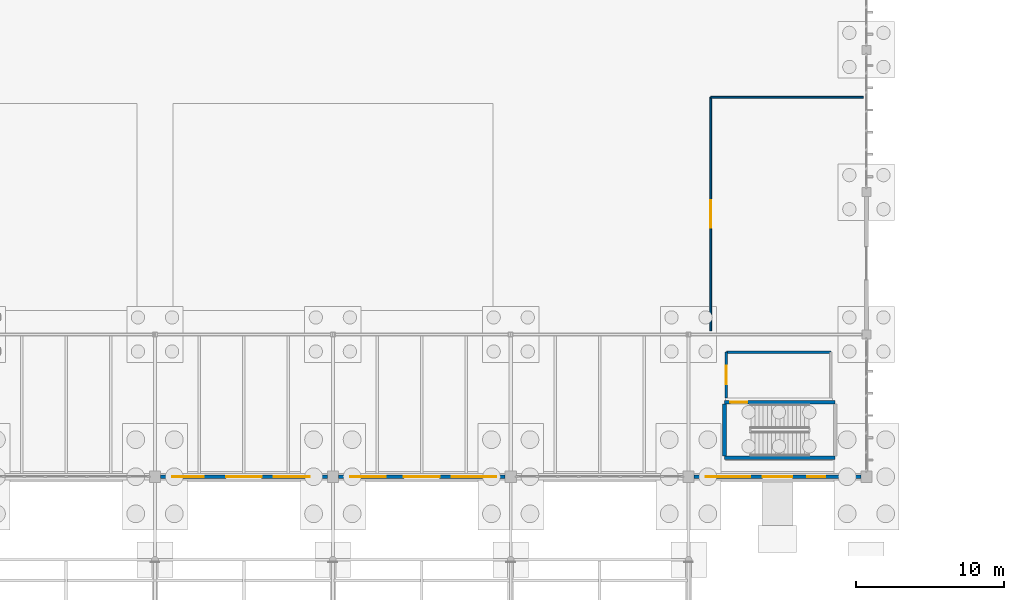
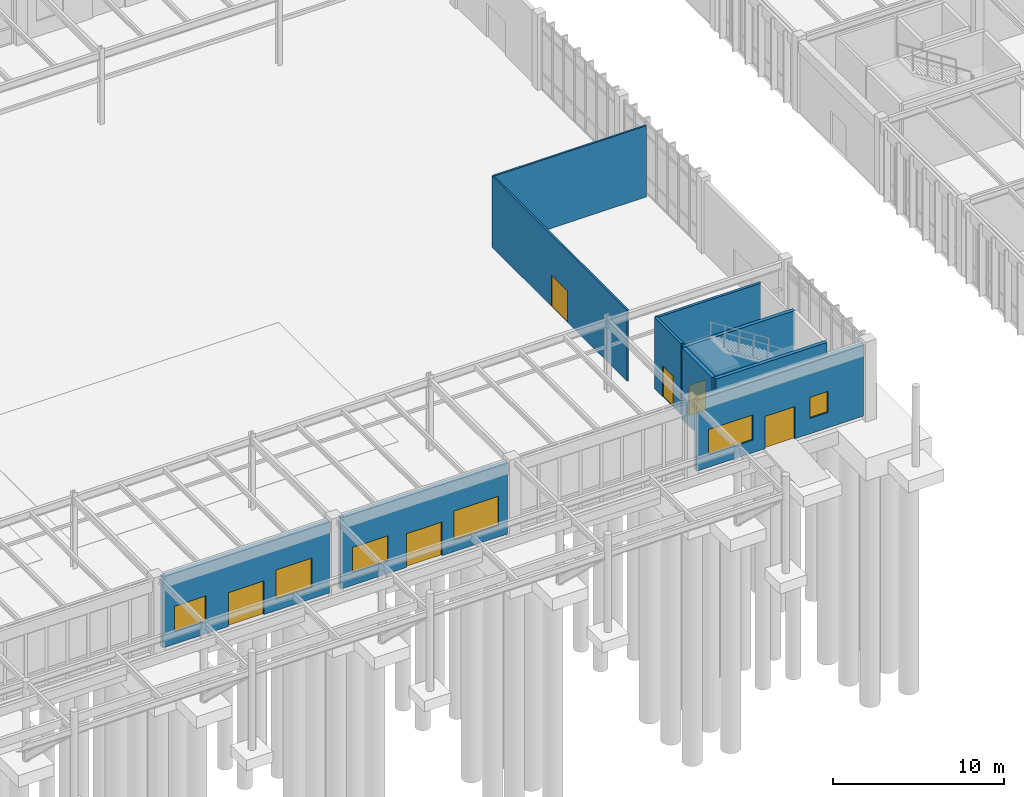
# One storey, part 163 of 188: 10 walls, 6 doors, 6 windows, 12 openings.
"""IFC4 building model written with IfcOpenShell, lengths in metres."""

from ifc_helpers import new_model, si_unit, direction, frame, frame_2d, origin, place, context, subcontext, project, spatial, rectangle, extrude, material, layer, layer_set, type_object, element, fill, save


model = new_model("IFC4")

# Units and contexts
model_context = context("Model", 3, precision=1e-05, world=origin(), true_north=direction((0.0, 1.0)))
body_context = subcontext(model_context, "Body", "Model", "MODEL_VIEW")
ifc_project = project(units=[si_unit("LENGTHUNIT", "METRE"), si_unit("AREAUNIT", "SQUARE_METRE"), si_unit("VOLUMEUNIT", "CUBIC_METRE"), si_unit("PLANEANGLEUNIT", "RADIAN"), si_unit("MASSUNIT", "GRAM", prefix="KILO")], contexts=[model_context])

# Site, building, storey
site_placement = place(None, origin())
site = spatial("IfcSite", under=ifc_project, at=site_placement, CompositionType="ELEMENT")
building_placement = place(site_placement, origin())
building = spatial("IfcBuilding", under=site, at=building_placement, Name="Pandanus Reach Market Hall", CompositionType="ELEMENT")
storey_placement = place(building_placement, origin())
storey = spatial("IfcBuildingStorey", under=building, at=storey_placement, Name="L00", CompositionType="ELEMENT", Elevation=0.0)

# Wall
ifc_material_1 = material(Name="Concrete N40 (40 MPa)", Category="concrete")
ifc_layer_1 = layer(ifc_material_1, 0.25, Name="WL-CORE-250")
ifc_layer_set_1 = layer_set([ifc_layer_1], Name="Concrete N40 (40 MPa)")
wall_type_1 = type_object("IfcWallType", Name="WL-CORE-250", PredefinedType="SHEAR", material=ifc_layer_set_1)
wall_1_placement = place(storey_placement, frame((122.425048828125, 30.074951171875, 0.0), z_axis=(0.0, 0.0, 1.0), x_axis=(1.0, 0.0, 0.0)))
element("IfcWall", 1, at=wall_1_placement, inside=storey, type_object=wall_type_1, Name="Internal wall WL-CORE-250 WL-0434", PredefinedType="SHEAR", context=body_context, shape_type="SweptSolid", body=[
    extrude(rectangle(XDim=7.469970703125, YDim=0.25, at=frame_2d((3.73486328125, 0.0))), origin(), (0.0, 0.0, 1.0), 5.080078125),
])

# Wall, opening, door
wall_2_placement = place(storey_placement, frame((122.425048828125, 33.824951171875, 0.0), z_axis=(0.0, 0.0, 1.0), x_axis=(1.0, 0.0, 0.0)))
wall_2 = element("IfcWall", 2, at=wall_2_placement, inside=storey, type_object=wall_type_1, Name="Internal wall WL-CORE-250 WL-0435", PredefinedType="SHEAR", context=body_context, shape_type="SweptSolid", body=[
    extrude(rectangle(XDim=7.469970703125, YDim=0.25, at=frame_2d((3.73486328125, 0.0))), origin(), (0.0, 0.0, 1.0), 5.080078125),
])
opening_1_placement = place(wall_2_placement, frame((0.39990234375, 0.0, 0.0)))
opening_1 = element("IfcOpeningElement", 3, at=opening_1_placement, cuts=wall_2, Name="Opening DR-FD1", PredefinedType="OPENING", context=body_context, shape_type="SweptSolid", body=[
    extrude(rectangle(XDim=1.14990234375, YDim=2.14990234375, at=frame_2d((0.574951171875, 1.074951171875))), frame((0.0, 0.139892578125, 0.0), z_axis=(0.0, -1.0, 0.0), x_axis=(1.0, 0.0, 0.0)), (0.0, 0.0, 1.0), 0.280029296875),
])
ifc_material_2 = material(Name="Fire-rated steel door", Category="steel")
door_type_1 = type_object("IfcDoorType", Name="DR-FD1", OperationType="NOTDEFINED", PredefinedType="DOOR", material=ifc_material_2)
door_1_placement = place(opening_1_placement, origin())
door_1 = element("IfcDoor", 4, at=door_1_placement, inside=storey, type_object=door_type_1, Name="Fire stair door ST-08 L00", OperationType="SINGLE_SWING_LEFT", OverallHeight=2.14990234375, OverallWidth=1.14990234375, PredefinedType="DOOR", context=body_context, shape_type="SweptSolid", body=[
    extrude(rectangle(XDim=1.14990234375, YDim=2.14990234375, at=frame_2d((0.574951171875, 1.074951171875))), frame((0.0, 0.02490234375, 0.0), z_axis=(0.0, -1.0, 0.0), x_axis=(1.0, 0.0, 0.0)), (0.0, 0.0, 1.0), 0.050048828125),
])
fill(opening_1, door_1)

# Wall
wall_3_placement = place(storey_placement, frame((122.425048828125, 30.199951171875, 0.0), z_axis=(0.0, 0.0, 1.0), x_axis=(0.0, 1.0, 0.0)))
element("IfcWall", 5, at=wall_3_placement, inside=storey, type_object=wall_type_1, Name="Internal wall WL-CORE-250 WL-0436", PredefinedType="SHEAR", context=body_context, shape_type="SweptSolid", body=[
    extrude(rectangle(XDim=3.5, YDim=0.25, at=frame_2d((1.75, 0.0))), origin(), (0.0, 0.0, 1.0), 5.080078125),
])

# Wall, openings, door, windows
ifc_material_3 = material(Name="Precast concrete S50 (50 MPa)", Category="concrete")
ifc_layer_2 = layer(ifc_material_3, 0.260009765625, Name="WL-EXT-260")
ifc_layer_set_2 = layer_set([ifc_layer_2], Name="Precast concrete S50 (50 MPa)")
wall_type_2 = type_object("IfcWallType", Name="WL-EXT-260", PredefinedType="SOLIDWALL", material=ifc_layer_set_2)
wall_4_placement = place(storey_placement, frame((84.375, 28.800048828125, 0.0), z_axis=(0.0, 0.0, 1.0), x_axis=(1.0, 0.0, 0.0)))
wall_4 = element("IfcWall", 6, at=wall_4_placement, inside=storey, type_object=wall_type_2, Name="External wall WL-EXT-260 WL-0047", PredefinedType="SOLIDWALL", context=body_context, shape_type="SweptSolid", body=[
    extrude(rectangle(XDim=11.25, YDim=0.260009765625, at=frame_2d((5.625, 0.0))), origin(), (0.0, 0.0, 1.0), 5.10009765625),
])
opening_2_placement = place(wall_4_placement, frame((4.425048828125, 0.0, 0.0)))
opening_2 = element("IfcOpeningElement", 7, at=opening_2_placement, cuts=wall_4, Name="Opening ED-240", PredefinedType="OPENING", context=body_context, shape_type="SweptSolid", body=[
    extrude(rectangle(XDim=2.39990234375, YDim=2.39990234375, at=frame_2d((1.199951171875, 1.199951171875))), frame((0.0, 0.14501953125, 0.0), z_axis=(0.0, -1.0, 0.0), x_axis=(1.0, 0.0, 0.0)), (0.0, 0.0, 1.0), 0.2900390625),
])
opening_3_placement = place(wall_4_placement, frame((0.800048828125, 0.0, 0.89990234375)))
opening_3 = element("IfcOpeningElement", 8, at=opening_3_placement, cuts=wall_4, Name="Opening WN-04", PredefinedType="OPENING", context=body_context, shape_type="SweptSolid", body=[
    extrude(rectangle(XDim=2.10009765625, YDim=1.800048828125, at=frame_2d((1.050048828125, 0.89990234375))), frame((0.0, 0.14501953125, 0.0), z_axis=(0.0, -1.0, 0.0), x_axis=(1.0, 0.0, 0.0)), (0.0, 0.0, 1.0), 0.2900390625),
])
opening_4_placement = place(wall_4_placement, frame((7.64990234375, 0.0, 0.800048828125)))
opening_4 = element("IfcOpeningElement", 9, at=opening_4_placement, cuts=wall_4, Name="Opening WN-12", PredefinedType="OPENING", context=body_context, shape_type="SweptSolid", body=[
    extrude(rectangle(XDim=2.39990234375, YDim=2.10009765625, at=frame_2d((1.199951171875, 1.050048828125))), frame((0.0, 0.14501953125, 0.0), z_axis=(0.0, -1.0, 0.0), x_axis=(1.0, 0.0, 0.0)), (0.0, 0.0, 1.0), 0.2900390625),
])
ifc_material_4 = material(Name="Bronze anodised aluminium", Category="aluminium")
door_type_2 = type_object("IfcDoorType", Name="ED-240", OperationType="DOUBLE_DOOR_SINGLE_SWING", PredefinedType="DOOR", material=ifc_material_4)
door_2_placement = place(opening_2_placement, frame((2.39990234375, 0.0, 0.0), z_axis=(0.0, 0.0, 1.0), x_axis=(-1.0, 0.0, 0.0)))
door_2 = element("IfcDoor", 10, at=door_2_placement, inside=storey, type_object=door_type_2, Name="Main park market entrance ED-240 3", OperationType="DOUBLE_DOOR_SINGLE_SWING", OverallHeight=2.39990234375, OverallWidth=2.39990234375, PredefinedType="DOOR", context=body_context, shape_type="SweptSolid", body=[
    extrude(rectangle(XDim=2.39990234375, YDim=2.39990234375, at=frame_2d((1.199951171875, 1.199951171875))), frame((0.0, 0.02490234375, 0.0), z_axis=(0.0, -1.0, 0.0), x_axis=(1.0, 0.0, 0.0)), (0.0, 0.0, 1.0), 0.050048828125),
])
fill(opening_2, door_2)
ifc_material_5 = material(Name="Solar-control double glazing", Category="glass")
window_type_1 = type_object("IfcWindowType", Name="WN-04", PartitioningType="SINGLE_PANEL", PredefinedType="WINDOW", material=ifc_material_5)
window_1_placement = place(opening_3_placement, origin())
window_1 = element("IfcWindow", 11, at=window_1_placement, inside=storey, type_object=window_type_1, Name="Window WN-04 6", OverallHeight=1.800048828125, OverallWidth=2.10009765625, PartitioningType="SINGLE_PANEL", PredefinedType="WINDOW", context=body_context, shape_type="SweptSolid", body=[
    extrude(rectangle(XDim=2.10009765625, YDim=1.800048828125, at=frame_2d((1.050048828125, 0.89990234375))), frame((0.0, 0.030029296875, 0.0), z_axis=(0.0, -1.0, 0.0), x_axis=(1.0, 0.0, 0.0)), (0.0, 0.0, 1.0), 0.06005859375),
])
fill(opening_3, window_1)
window_type_2 = type_object("IfcWindowType", Name="WN-12", PartitioningType="SINGLE_PANEL", PredefinedType="WINDOW", material=ifc_material_5)
window_2_placement = place(opening_4_placement, origin())
window_2 = element("IfcWindow", 12, at=window_2_placement, inside=storey, type_object=window_type_2, Name="Window WN-12 7", OverallHeight=2.10009765625, OverallWidth=2.39990234375, PartitioningType="SINGLE_PANEL", PredefinedType="WINDOW", context=body_context, shape_type="SweptSolid", body=[
    extrude(rectangle(XDim=2.39990234375, YDim=2.10009765625, at=frame_2d((1.199951171875, 1.050048828125))), frame((0.0, 0.030029296875, 0.0), z_axis=(0.0, -1.0, 0.0), x_axis=(1.0, 0.0, 0.0)), (0.0, 0.0, 1.0), 0.06005859375),
])
fill(opening_4, window_2)

wall_5_placement = place(storey_placement, frame((96.375, 28.800048828125, 0.0), z_axis=(0.0, 0.0, 1.0), x_axis=(1.0, 0.0, 0.0)))
wall_5 = element("IfcWall", 13, at=wall_5_placement, inside=storey, type_object=wall_type_2, Name="External wall WL-EXT-260 WL-0048", PredefinedType="SOLIDWALL", context=body_context, shape_type="SweptSolid", body=[
    extrude(rectangle(XDim=11.25, YDim=0.260009765625, at=frame_2d((5.625, 0.0))), origin(), (0.0, 0.0, 1.0), 5.10009765625),
])
opening_5_placement = place(wall_5_placement, frame((4.425048828125, 0.0, 0.0)))
opening_5 = element("IfcOpeningElement", 14, at=opening_5_placement, cuts=wall_5, Name="Opening ED-240", PredefinedType="OPENING", context=body_context, shape_type="SweptSolid", body=[
    extrude(rectangle(XDim=2.39990234375, YDim=2.39990234375, at=frame_2d((1.199951171875, 1.199951171875))), frame((0.0, 0.14501953125, 0.0), z_axis=(0.0, -1.0, 0.0), x_axis=(1.0, 0.0, 0.0)), (0.0, 0.0, 1.0), 0.2900390625),
])
opening_6_placement = place(wall_5_placement, frame((0.800048828125, 0.0, 0.89990234375)))
opening_6 = element("IfcOpeningElement", 15, at=opening_6_placement, cuts=wall_5, Name="Opening WN-05", PredefinedType="OPENING", context=body_context, shape_type="SweptSolid", body=[
    extrude(rectangle(XDim=2.39990234375, YDim=1.800048828125, at=frame_2d((1.199951171875, 0.89990234375))), frame((0.0, 0.14501953125, 0.0), z_axis=(0.0, -1.0, 0.0), x_axis=(1.0, 0.0, 0.0)), (0.0, 0.0, 1.0), 0.2900390625),
])
opening_7_placement = place(wall_5_placement, frame((7.64990234375, 0.0, 0.800048828125)))
opening_7 = element("IfcOpeningElement", 16, at=opening_7_placement, cuts=wall_5, Name="Opening WN-13", PredefinedType="OPENING", context=body_context, shape_type="SweptSolid", body=[
    extrude(rectangle(XDim=3.0, YDim=2.10009765625, at=frame_2d((1.5, 1.050048828125))), frame((0.0, 0.14501953125, 0.0), z_axis=(0.0, -1.0, 0.0), x_axis=(1.0, 0.0, 0.0)), (0.0, 0.0, 1.0), 0.2900390625),
])
door_3_placement = place(opening_5_placement, frame((2.39990234375, 0.0, 0.0), z_axis=(0.0, 0.0, 1.0), x_axis=(-1.0, 0.0, 0.0)))
door_3 = element("IfcDoor", 17, at=door_3_placement, inside=storey, type_object=door_type_2, Name="Main park market entrance ED-240 4", OperationType="DOUBLE_DOOR_SINGLE_SWING", OverallHeight=2.39990234375, OverallWidth=2.39990234375, PredefinedType="DOOR", context=body_context, shape_type="SweptSolid", body=[
    extrude(rectangle(XDim=2.39990234375, YDim=2.39990234375, at=frame_2d((1.199951171875, 1.199951171875))), frame((0.0, 0.02490234375, 0.0), z_axis=(0.0, -1.0, 0.0), x_axis=(1.0, 0.0, 0.0)), (0.0, 0.0, 1.0), 0.050048828125),
])
fill(opening_5, door_3)
window_type_3 = type_object("IfcWindowType", Name="WN-05", PartitioningType="SINGLE_PANEL", PredefinedType="WINDOW", material=ifc_material_5)
window_3_placement = place(opening_6_placement, origin())
window_3 = element("IfcWindow", 18, at=window_3_placement, inside=storey, type_object=window_type_3, Name="Window WN-05 8", OverallHeight=1.800048828125, OverallWidth=2.39990234375, PartitioningType="SINGLE_PANEL", PredefinedType="WINDOW", context=body_context, shape_type="SweptSolid", body=[
    extrude(rectangle(XDim=2.39990234375, YDim=1.800048828125, at=frame_2d((1.199951171875, 0.89990234375))), frame((0.0, 0.030029296875, 0.0), z_axis=(0.0, -1.0, 0.0), x_axis=(1.0, 0.0, 0.0)), (0.0, 0.0, 1.0), 0.06005859375),
])
fill(opening_6, window_3)
window_type_4 = type_object("IfcWindowType", Name="WN-13", PartitioningType="SINGLE_PANEL", PredefinedType="WINDOW", material=ifc_material_5)
window_4_placement = place(opening_7_placement, origin())
window_4 = element("IfcWindow", 19, at=window_4_placement, inside=storey, type_object=window_type_4, Name="Window WN-13 9", OverallHeight=2.10009765625, OverallWidth=3.0, PartitioningType="SINGLE_PANEL", PredefinedType="WINDOW", context=body_context, shape_type="SweptSolid", body=[
    extrude(rectangle(XDim=3.0, YDim=2.10009765625, at=frame_2d((1.5, 1.050048828125))), frame((0.0, 0.030029296875, 0.0), z_axis=(0.0, -1.0, 0.0), x_axis=(1.0, 0.0, 0.0)), (0.0, 0.0, 1.0), 0.06005859375),
])
fill(opening_7, window_4)

wall_6_placement = place(storey_placement, frame((120.375, 28.800048828125, 0.0), z_axis=(0.0, 0.0, 1.0), x_axis=(1.0, 0.0, 0.0)))
wall_6 = element("IfcWall", 20, at=wall_6_placement, inside=storey, type_object=wall_type_2, Name="External wall WL-EXT-260 WL-0049", PredefinedType="SOLIDWALL", context=body_context, shape_type="SweptSolid", body=[
    extrude(rectangle(XDim=11.25, YDim=0.260009765625, at=frame_2d((5.625, 0.0))), origin(), (0.0, 0.0, 1.0), 5.10009765625),
])
opening_8_placement = place(wall_6_placement, frame((4.625, 0.0, 0.0)))
opening_8 = element("IfcOpeningElement", 21, at=opening_8_placement, cuts=wall_6, Name="Opening ED-200", PredefinedType="OPENING", context=body_context, shape_type="SweptSolid", body=[
    extrude(rectangle(XDim=2.0, YDim=2.300048828125, at=frame_2d((1.0, 1.14990234375))), frame((0.0, 0.14501953125, 0.0), z_axis=(0.0, -1.0, 0.0), x_axis=(1.0, 0.0, 0.0)), (0.0, 0.0, 1.0), 0.2900390625),
])
opening_9_placement = place(wall_6_placement, frame((0.800048828125, 0.0, 0.89990234375)))
opening_9 = element("IfcOpeningElement", 22, at=opening_9_placement, cuts=wall_6, Name="Opening WN-07", PredefinedType="OPENING", context=body_context, shape_type="SweptSolid", body=[
    extrude(rectangle(XDim=3.0, YDim=1.800048828125, at=frame_2d((1.5, 0.89990234375))), frame((0.0, 0.14501953125, 0.0), z_axis=(0.0, -1.0, 0.0), x_axis=(1.0, 0.0, 0.0)), (0.0, 0.0, 1.0), 0.2900390625),
])
opening_10_placement = place(wall_6_placement, frame((7.64990234375, 0.0, 1.10009765625)))
opening_10 = element("IfcOpeningElement", 23, at=opening_10_placement, cuts=wall_6, Name="Opening WN-15", PredefinedType="OPENING", context=body_context, shape_type="SweptSolid", body=[
    extrude(rectangle(XDim=1.199951171875, YDim=1.5, at=frame_2d((0.60009765625, 0.75))), frame((0.0, 0.14501953125, 0.0), z_axis=(0.0, -1.0, 0.0), x_axis=(1.0, 0.0, 0.0)), (0.0, 0.0, 1.0), 0.2900390625),
])
door_type_3 = type_object("IfcDoorType", Name="ED-200", OperationType="DOUBLE_DOOR_SINGLE_SWING", PredefinedType="DOOR", material=ifc_material_4)
door_4_placement = place(opening_8_placement, frame((2.0, 0.0, 0.0), z_axis=(0.0, 0.0, 1.0), x_axis=(-1.0, 0.0, 0.0)))
door_4 = element("IfcDoor", 24, at=door_4_placement, inside=storey, type_object=door_type_3, Name="Main park market entrance ED-200 5", OperationType="DOUBLE_DOOR_SINGLE_SWING", OverallHeight=2.300048828125, OverallWidth=2.0, PredefinedType="DOOR", context=body_context, shape_type="SweptSolid", body=[
    extrude(rectangle(XDim=2.0, YDim=2.300048828125, at=frame_2d((1.0, 1.14990234375))), frame((0.0, 0.02490234375, 0.0), z_axis=(0.0, -1.0, 0.0), x_axis=(1.0, 0.0, 0.0)), (0.0, 0.0, 1.0), 0.050048828125),
])
fill(opening_8, door_4)
window_type_5 = type_object("IfcWindowType", Name="WN-07", PartitioningType="SINGLE_PANEL", PredefinedType="WINDOW", material=ifc_material_5)
window_5_placement = place(opening_9_placement, origin())
window_5 = element("IfcWindow", 25, at=window_5_placement, inside=storey, type_object=window_type_5, Name="Window WN-07 10", OverallHeight=1.800048828125, OverallWidth=3.0, PartitioningType="SINGLE_PANEL", PredefinedType="WINDOW", context=body_context, shape_type="SweptSolid", body=[
    extrude(rectangle(XDim=3.0, YDim=1.800048828125, at=frame_2d((1.5, 0.89990234375))), frame((0.0, 0.030029296875, 0.0), z_axis=(0.0, -1.0, 0.0), x_axis=(1.0, 0.0, 0.0)), (0.0, 0.0, 1.0), 0.06005859375),
])
fill(opening_9, window_5)
window_type_6 = type_object("IfcWindowType", Name="WN-15", PartitioningType="SINGLE_PANEL", PredefinedType="WINDOW", material=ifc_material_5)
window_6_placement = place(opening_10_placement, origin())
window_6 = element("IfcWindow", 26, at=window_6_placement, inside=storey, type_object=window_type_6, Name="Window WN-15 11", OverallHeight=1.5, OverallWidth=1.199951171875, PartitioningType="SINGLE_PANEL", PredefinedType="WINDOW", context=body_context, shape_type="SweptSolid", body=[
    extrude(rectangle(XDim=1.199951171875, YDim=1.5, at=frame_2d((0.60009765625, 0.75))), frame((0.0, 0.030029296875, 0.0), z_axis=(0.0, -1.0, 0.0), x_axis=(1.0, 0.0, 0.0)), (0.0, 0.0, 1.0), 0.06005859375),
])
fill(opening_10, window_6)

# Wall, opening, door
ifc_layer_3 = layer(ifc_material_1, 0.175048828125, Name="WL-LOB-175")
ifc_layer_set_3 = layer_set([ifc_layer_3], Name="Concrete N40 (40 MPa)")
wall_type_3 = type_object("IfcWallType", Name="WL-LOB-175", PredefinedType="PARTITIONING", material=ifc_layer_set_3)
wall_7_placement = place(storey_placement, frame((122.550048828125, 34.10009765625, 0.0), z_axis=(0.0, 0.0, 1.0), x_axis=(0.0, 1.0, 0.0)))
wall_7 = element("IfcWall", 27, at=wall_7_placement, inside=storey, type_object=wall_type_3, Name="Internal wall WL-LOB-175 WL-0438", PredefinedType="PARTITIONING", context=body_context, shape_type="SweptSolid", body=[
    extrude(rectangle(XDim=3.099853515625, YDim=0.175048828125, at=frame_2d((1.5498046875, 0.0))), origin(), (0.0, 0.0, 1.0), 5.080078125),
])
opening_11_placement = place(wall_7_placement, frame((0.925048828125, 0.0, 0.0)))
opening_11 = element("IfcOpeningElement", 28, at=opening_11_placement, cuts=wall_7, Name="Opening DR-FD2", PredefinedType="OPENING", context=body_context, shape_type="SweptSolid", body=[
    extrude(rectangle(XDim=1.25, YDim=2.199951171875, at=frame_2d((0.625, 1.10009765625))), frame((0.0, 0.1025390625, 0.0), z_axis=(0.0, -1.0, 0.0), x_axis=(1.0, 0.0, 0.0)), (0.0, 0.0, 1.0), 0.205078125),
])
door_type_4 = type_object("IfcDoorType", Name="DR-FD2", OperationType="NOTDEFINED", PredefinedType="DOOR", material=ifc_material_2)
door_5_placement = place(opening_11_placement, frame((1.25, 0.0, 0.0), z_axis=(0.0, 0.0, 1.0), x_axis=(-1.0, 0.0, 0.0)))
door_5 = element("IfcDoor", 29, at=door_5_placement, inside=storey, type_object=door_type_4, Name="Core C8 lobby fire door DR-FD2 88", OperationType="SINGLE_SWING_LEFT", OverallHeight=2.199951171875, OverallWidth=1.25, PredefinedType="DOOR", context=body_context, shape_type="SweptSolid", body=[
    extrude(rectangle(XDim=1.25, YDim=2.199951171875, at=frame_2d((0.625, 1.10009765625))), frame((0.0, 0.02490234375, 0.0), z_axis=(0.0, -1.0, 0.0), x_axis=(1.0, 0.0, 0.0)), (0.0, 0.0, 1.0), 0.050048828125),
])
fill(opening_11, door_5)

# Wall
wall_8_placement = place(storey_placement, frame((122.550048828125, 37.199951171875, 0.0), z_axis=(0.0, 0.0, 1.0), x_axis=(1.0, 0.0, 0.0)))
element("IfcWall", 30, at=wall_8_placement, inside=storey, type_object=wall_type_3, Name="Internal wall WL-LOB-175 WL-0439", PredefinedType="PARTITIONING", context=body_context, shape_type="SweptSolid", body=[
    extrude(rectangle(XDim=7.050048828125, YDim=0.175048828125, at=frame_2d((3.52490234375, 0.0))), origin(), (0.0, 0.0, 1.0), 5.080078125),
])

# Wall, opening, door
ifc_material_6 = material(Name="Lightweight plasterboard stud partition", Category="gypsum")
ifc_layer_4 = layer(ifc_material_6, 0.1201171875, Name="WL-PRT-120")
ifc_layer_set_4 = layer_set([ifc_layer_4], Name="Lightweight plasterboard stud partition")
wall_type_4 = type_object("IfcWallType", Name="WL-PRT-120", PredefinedType="PARTITIONING", material=ifc_layer_set_4)
wall_9_placement = place(storey_placement, frame((121.5, 38.64990234375, 0.0), z_axis=(0.0, 0.0, 1.0), x_axis=(0.0, 1.0, 0.0)))
wall_9 = element("IfcWall", 31, at=wall_9_placement, inside=storey, type_object=wall_type_4, Name="Internal wall WL-PRT-120 WL-0475", PredefinedType="PARTITIONING", context=body_context, shape_type="SweptSolid", body=[
    extrude(rectangle(XDim=15.75, YDim=0.1201171875, at=frame_2d((7.875, 0.0))), origin(), (0.0, 0.0, 1.0), 5.080078125),
])
opening_12_placement = place(wall_9_placement, frame((6.949951171875, 0.0, 0.0)))
opening_12 = element("IfcOpeningElement", 32, at=opening_12_placement, cuts=wall_9, Name="Opening DR-I18", PredefinedType="OPENING", context=body_context, shape_type="SweptSolid", body=[
    extrude(rectangle(XDim=1.85009765625, YDim=2.199951171875, at=frame_2d((0.925048828125, 1.10009765625))), frame((0.0, 0.074951171875, 0.0), z_axis=(0.0, -1.0, 0.0), x_axis=(1.0, 0.0, 0.0)), (0.0, 0.0, 1.0), 0.150146484375),
])
ifc_material_7 = material(Name="Double market gallery swing door")
door_type_5 = type_object("IfcDoorType", Name="DR-I18", OperationType="DOUBLE_DOOR_SINGLE_SWING", PredefinedType="DOOR", material=ifc_material_7)
door_6_placement = place(opening_12_placement, origin())
door_6 = element("IfcDoor", 33, at=door_6_placement, inside=storey, type_object=door_type_5, Name="Spice stalls gallery door DR-I18 108", OperationType="DOUBLE_DOOR_SINGLE_SWING", OverallHeight=2.199951171875, OverallWidth=1.85009765625, PredefinedType="DOOR", context=body_context, shape_type="SweptSolid", body=[
    extrude(rectangle(XDim=1.85009765625, YDim=2.199951171875, at=frame_2d((0.925048828125, 1.10009765625))), frame((0.0, 0.02490234375, 0.0), z_axis=(0.0, -1.0, 0.0), x_axis=(1.0, 0.0, 0.0)), (0.0, 0.0, 1.0), 0.050048828125),
])
fill(opening_12, door_6)

# Wall
wall_10_placement = place(storey_placement, frame((121.5, 54.39990234375, 0.0), z_axis=(0.0, 0.0, 1.0), x_axis=(1.0, 0.0, 0.0)))
element("IfcWall", 34, at=wall_10_placement, inside=storey, type_object=wall_type_4, Name="Internal wall WL-PRT-120 WL-0476", PredefinedType="PARTITIONING", context=body_context, shape_type="SweptSolid", body=[
    extrude(rectangle(XDim=10.300048828125, YDim=0.1201171875, at=frame_2d((5.14990234375, 0.0))), origin(), (0.0, 0.0, 1.0), 5.080078125),
])

save(model, "model.ifc")
